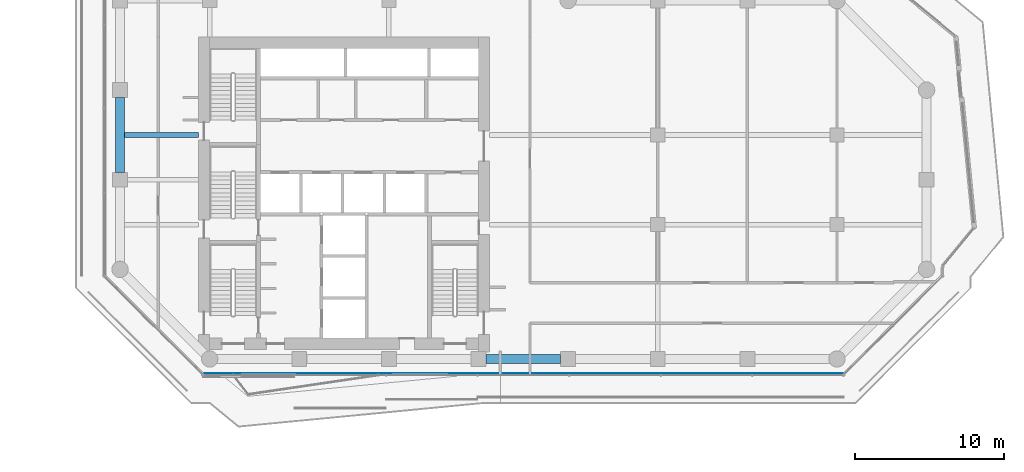
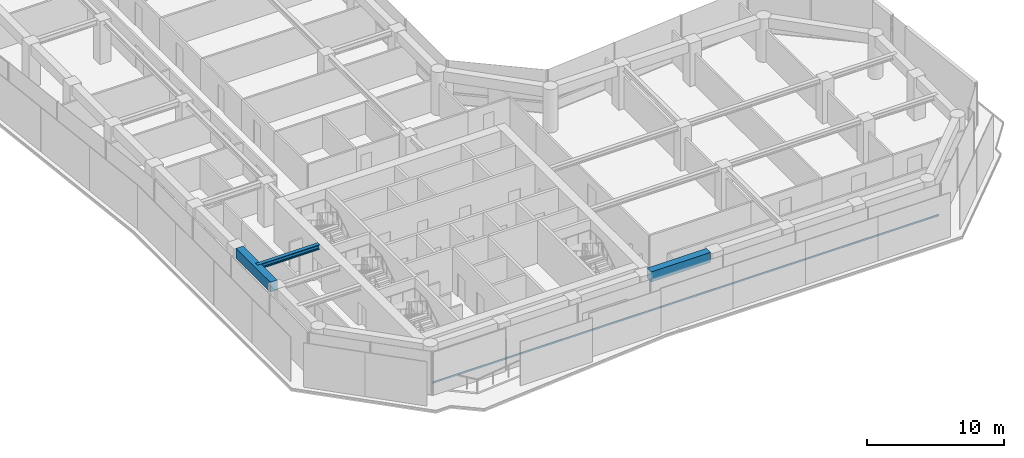
# One storey, part 3 of 28: 3 beams, 1 member, 1 element without a shape of its own.
"""IFC4 building model written with IfcOpenShell, lengths in metres."""

from ifc_helpers import new_model, si_unit, direction, frame, origin, origin_2d, place, context, subcontext, project, spatial, rectangle, i_section, extrude, material, layer, layer_set, material_profile, profile_set, type_object, element, aggregate, save


model = new_model("IFC4")

# Units and contexts
model_context = context("Model", 3, precision=1e-05, world=origin(), true_north=direction((0.0, 1.0)))
body_context = subcontext(model_context, "Body", "Model", "MODEL_VIEW")
ifc_project = project(units=[si_unit("LENGTHUNIT", "METRE"), si_unit("AREAUNIT", "SQUARE_METRE"), si_unit("VOLUMEUNIT", "CUBIC_METRE"), si_unit("PLANEANGLEUNIT", "RADIAN"), si_unit("MASSUNIT", "GRAM", prefix="KILO")], contexts=[model_context])

# Site, building, storey
site_placement = place(None, origin())
site = spatial("IfcSite", under=ifc_project, at=site_placement, CompositionType="ELEMENT")
building_placement = place(site_placement, origin())
building = spatial("IfcBuilding", under=site, at=building_placement, Name="Welwitschia Terrace Campus", CompositionType="ELEMENT")
storey_placement = place(building_placement, frame((0.0, 0.0, 87.800048828125)))
storey = spatial("IfcBuildingStorey", under=building, at=storey_placement, Name="L19", CompositionType="ELEMENT", Elevation=87.800048828125)

# Beams
ifc_material_1 = material(Name="Steel S355", Category="steel")
ifc_material_profile_1 = material_profile(ifc_material_1, i_section(OverallWidth=0.306884765625, OverallDepth=0.431884765625, WebThickness=0.02099609375, FlangeThickness=0.0400390625, FilletRadius=0.027099609375, at=origin_2d()))
ifc_profile_set_1 = profile_set([ifc_material_profile_1], Name="Steel S355")
beam_type_1 = type_object("IfcBeamType", Name="Interior girder HE 400 M", PredefinedType="BEAM", material=ifc_profile_set_1)
beam_placement = place(storey_placement, frame((-0.010009765625, 19.0, 3.634033203125), z_axis=(1.0, 0.0, 0.0), x_axis=(0.0, 1.0, 0.0)))
element("IfcBeam", 1, at=beam_placement, inside=storey, type_object=beam_type_1, Name="Girder GB3", PredefinedType="BEAM", context=body_context, shape_type="SweptSolid", body=[
    extrude(i_section(OverallWidth=0.306884765625, OverallDepth=0.431884765625, WebThickness=0.02099609375, FlangeThickness=0.0400390625, FilletRadius=0.027099609375, at=origin_2d()), origin(), (0.0, 0.0, 1.0), 5.259033203125),
])
ifc_material_2 = material(Name="Concrete C60/75", Category="concrete")
ifc_material_profile_2 = material_profile(ifc_material_2, rectangle(XDim=0.60009765625, YDim=0.89990234375, at=origin_2d()))
ifc_profile_set_2 = profile_set([ifc_material_profile_2], Name="Concrete C60/75")
beam_type_2 = type_object("IfcBeamType", Name="Ring spandrel 600x900", PredefinedType="SPANDREL", material=ifc_profile_set_2)
for number, where, z_axis, x_axis, name in (
    (2, (24.50048828125, 4.0, 3.39990234375), (1.0, 0.0, 0.0), (0.0, 1.0, 0.0), "Spandrel SP2"),
    (3, (0.0, 21.49951171875, 3.39990234375), (0.0, -1.0, 0.0), (1.0, 0.0, 0.0), "Spandrel SP2"),
):
    element("IfcBeam", number, at=place(storey_placement, frame(where, z_axis=z_axis, x_axis=x_axis)), inside=storey, type_object=beam_type_2, Name=name, PredefinedType="SPANDREL", context=body_context, shape_type="SweptSolid", body=[
        extrude(rectangle(XDim=0.60009765625, YDim=0.89990234375, at=origin_2d()), origin(), (0.0, 0.0, 1.0), 4.9990234375),
    ])

# Curtain wall, member
ifc_material_3 = material(Name="Bronze anodised aluminium", Category="aluminium")
ifc_layer = layer(ifc_material_3, 0.1201171875)
ifc_layer_set = layer_set([ifc_layer], Name="Bronze anodised aluminium")
curtain_wall_type = type_object("IfcCurtainWallType", Name="Curtain wall CW2 tower 6000", PredefinedType="NOTDEFINED", material=ifc_layer_set)
curtain_wall_placement = place(storey_placement, origin())
curtain_wall = element("IfcCurtainWall", 4, at=curtain_wall_placement, inside=storey, type_object=curtain_wall_type, Name="CW L19.3.0", PredefinedType="NOTDEFINED")
ifc_material_4 = material(Name="Bronze anodised aluminium", Category="aluminium")
ifc_material_profile_3 = material_profile(ifc_material_4, rectangle(XDim=0.06005859375, YDim=0.14990234375, at=origin_2d()))
ifc_profile_set_3 = profile_set([ifc_material_profile_3], Name="Bronze anodised aluminium")
member_type = type_object("IfcMemberType", Name="Transom 60x150", PredefinedType="USERDEFINED", material=ifc_profile_set_3)
member_placement = place(storey_placement, frame((5.610107421875, 3.00390625, 1.0), z_axis=(1.0, 0.0, 0.0), x_axis=(0.0, 1.0, 0.0)))
member = element("IfcMember", 5, at=member_placement, type_object=member_type, Name="Transom L19.3.0", ObjectType="TRANSOM", PredefinedType="USERDEFINED", context=body_context, shape_type="SweptSolid", body=[
    extrude(rectangle(XDim=0.06005859375, YDim=0.14990234375, at=origin_2d()), origin(), (0.0, 0.0, 1.0), 42.77978515625),
])
aggregate(curtain_wall, [member])

save(model, "model.ifc")
